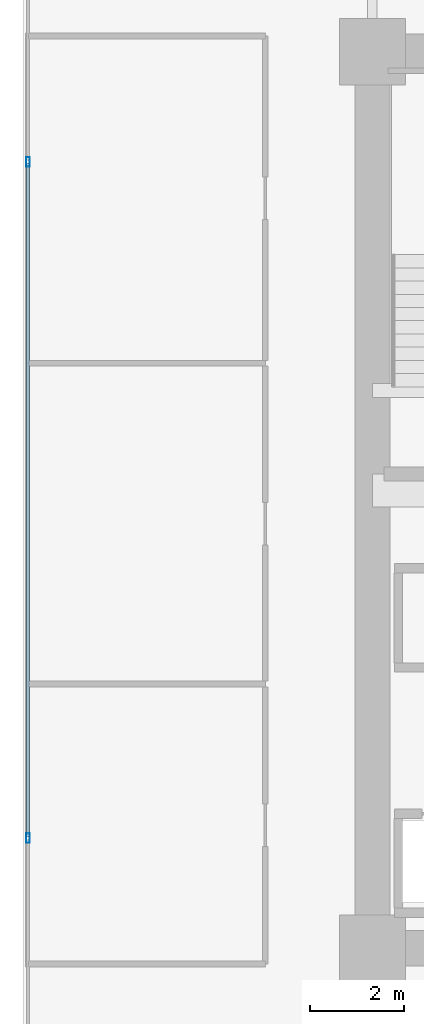
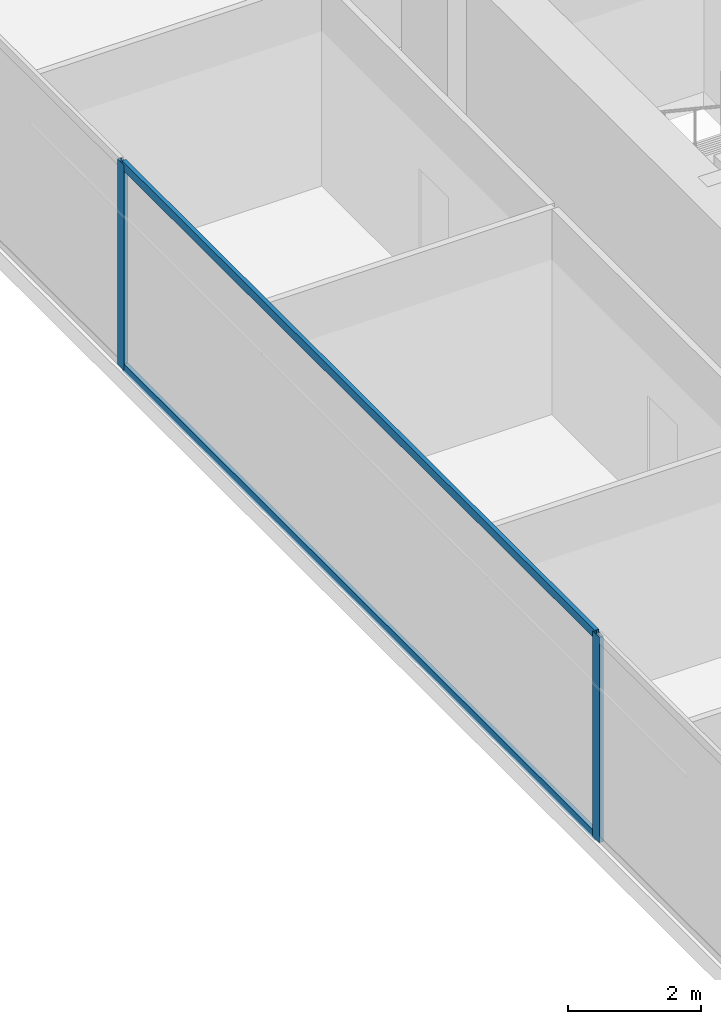
# One storey, part 6 of 37: 4 members, 1 element without a shape of its own.
"""IFC4 building model written with IfcOpenShell, lengths in metres."""

from ifc_helpers import new_model, si_unit, direction, frame, origin, origin_2d, place, context, subcontext, project, spatial, hollow_rectangle, extrude, source, transform, mapped, material, layer, layer_set, material_profile, profile_set, type_object, type_shapes, element, aggregate, save


model = new_model("IFC4")

# Units and contexts
model_context = context("Model", 3, precision=1e-05, world=origin(), true_north=direction((0.0, 1.0)))
body_context = subcontext(model_context, "Body", "Model", "MODEL_VIEW")
ifc_project = project(units=[si_unit("LENGTHUNIT", "METRE"), si_unit("AREAUNIT", "SQUARE_METRE"), si_unit("VOLUMEUNIT", "CUBIC_METRE"), si_unit("PLANEANGLEUNIT", "RADIAN"), si_unit("MASSUNIT", "GRAM", prefix="KILO")], contexts=[model_context])

# Site, building, storey
site_placement = place(None, origin())
site = spatial("IfcSite", under=ifc_project, at=site_placement, CompositionType="ELEMENT")
building_placement = place(site_placement, origin())
building = spatial("IfcBuilding", under=site, at=building_placement, Name="Haelvirn Gate Laboratories", CompositionType="ELEMENT")
storey_placement = place(building_placement, frame((0.0, 0.0, 74.39990234375)))
storey = spatial("IfcBuildingStorey", under=building, at=storey_placement, Name="L18", CompositionType="ELEMENT", Elevation=74.39990234375)

# Curtain wall, members
ifc_material_1 = material(Name="Anodised bronze unitised aluminium & triple low-E glass", Category="aluminium")
ifc_layer = layer(ifc_material_1, 0.18408203125, Name="CW-SYS-2")
ifc_layer_set = layer_set([ifc_layer], Name="Anodised bronze unitised aluminium & triple low-E glass")
curtain_wall_type = type_object("IfcCurtainWallType", Name="CW-SYS-2", PredefinedType="NOTDEFINED", material=ifc_layer_set)
curtain_wall_placement = place(storey_placement, origin())
curtain_wall = element("IfcCurtainWall", 1, at=curtain_wall_placement, inside=storey, type_object=curtain_wall_type, Name="L18 Unitised Curtain Wall CW-L18-P0-E17", PredefinedType="NOTDEFINED")
ifc_material_2 = material(Name="Extruded aluminium 6063-T6 (anodised bronze)", Category="aluminium")
ifc_material_profile_1 = material_profile(ifc_material_2, hollow_rectangle(XDim=0.074951171875, YDim=0.199951171875, WallThickness=0.0048828125, at=origin_2d()), Name="CWM-200x75x5")
ifc_profile_set_1 = profile_set([ifc_material_profile_1], Name="Extruded aluminium 6063-T6 (anodised bronze)")
member_type_1 = type_object("IfcMemberType", Name="CWM-T200", PredefinedType="MULLION", material=ifc_profile_set_1)
shared_shape_1 = source(origin(), body_context, "Body", "SweptSolid", [
    extrude(hollow_rectangle(XDim=0.074951171875, YDim=0.199951171875, WallThickness=0.0048828125, at=origin_2d()), origin(), (0.0, 0.0, 1.0), 3.780029296875),
])
type_shapes(member_type_1, [shared_shape_1])
member_1_placement = place(storey_placement, frame((0.10009765625, 31.466552734375, 0.0), z_axis=(0.0, 0.0, 1.0), x_axis=(1.0, 0.0, 0.0)))
member_1 = element("IfcMember", 2, at=member_1_placement, type_object=member_type_1, Name="CW2 mullion 2", PredefinedType="MULLION", context=body_context, shape_type="MappedRepresentation", body=[
    mapped(shared_shape_1, transform((0.0, 0.0, 0.0), scale=1.0)),
])
member_2_placement = place(storey_placement, frame((0.10009765625, 17.13330078125, 0.0), z_axis=(0.0, 0.0, 1.0), x_axis=(1.0, 0.0, 0.0)))
member_2 = element("IfcMember", 3, at=member_2_placement, type_object=member_type_1, Name="CW2 mullion 3", PredefinedType="MULLION", context=body_context, shape_type="MappedRepresentation", body=[
    mapped(shared_shape_1, transform((0.0, 0.0, 0.0), scale=1.0)),
])
ifc_material_profile_2 = material_profile(ifc_material_2, hollow_rectangle(XDim=0.070068359375, YDim=0.159912109375, WallThickness=0.0048828125, at=origin_2d()), Name="CWT-160x70x5")
ifc_profile_set_2 = profile_set([ifc_material_profile_2], Name="Extruded aluminium 6063-T6 (anodised bronze)")
member_type_2 = type_object("IfcMemberType", Name="CWT-T160", PredefinedType="USERDEFINED", material=ifc_profile_set_2)
shared_shape_2 = source(origin(), body_context, "Body", "SweptSolid", [
    extrude(hollow_rectangle(XDim=0.070068359375, YDim=0.159912109375, WallThickness=0.0048828125, at=origin_2d()), origin(), (0.0, 0.0, 1.0), 14.25830078125),
])
type_shapes(member_type_2, [shared_shape_2])
member_3_placement = place(storey_placement, frame((0.10009765625, 31.42919921875, 0.03515625), z_axis=(0.0, -1.0, 0.0), x_axis=(1.0, 0.0, 0.0)))
member_3 = element("IfcMember", 4, at=member_3_placement, type_object=member_type_2, Name="CW2 transom 2.1", ObjectType="TRANSOM", PredefinedType="USERDEFINED", context=body_context, shape_type="MappedRepresentation", body=[
    mapped(shared_shape_2, transform((0.0, 0.0, 0.0), scale=1.0)),
])
member_4_placement = place(storey_placement, frame((0.10009765625, 31.42919921875, 3.7451171875), z_axis=(0.0, -1.0, 0.0), x_axis=(1.0, 0.0, 0.0)))
member_4 = element("IfcMember", 5, at=member_4_placement, type_object=member_type_2, Name="CW2 transom 2.2", ObjectType="TRANSOM", PredefinedType="USERDEFINED", context=body_context, shape_type="MappedRepresentation", body=[
    mapped(shared_shape_2, transform((0.0, 0.0, 0.0), scale=1.0)),
])
aggregate(curtain_wall, [member_1, member_2, member_3, member_4])

save(model, "model.ifc")
